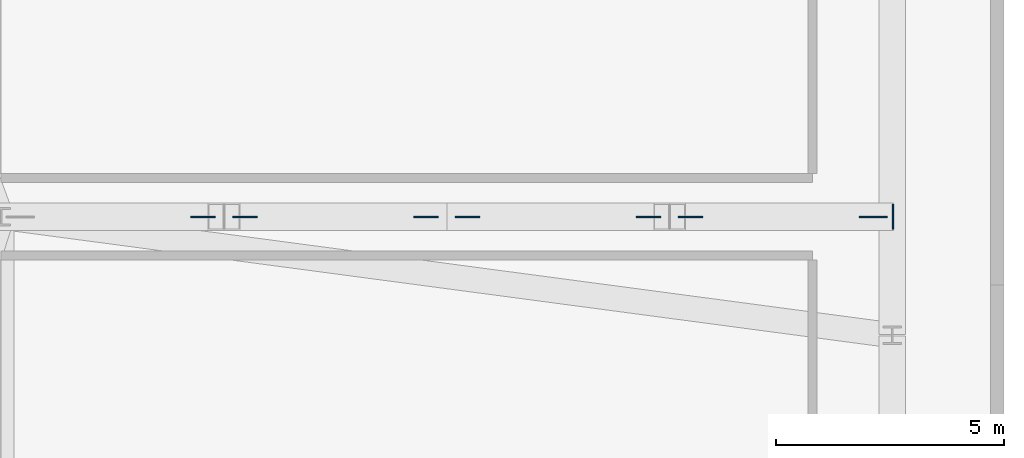
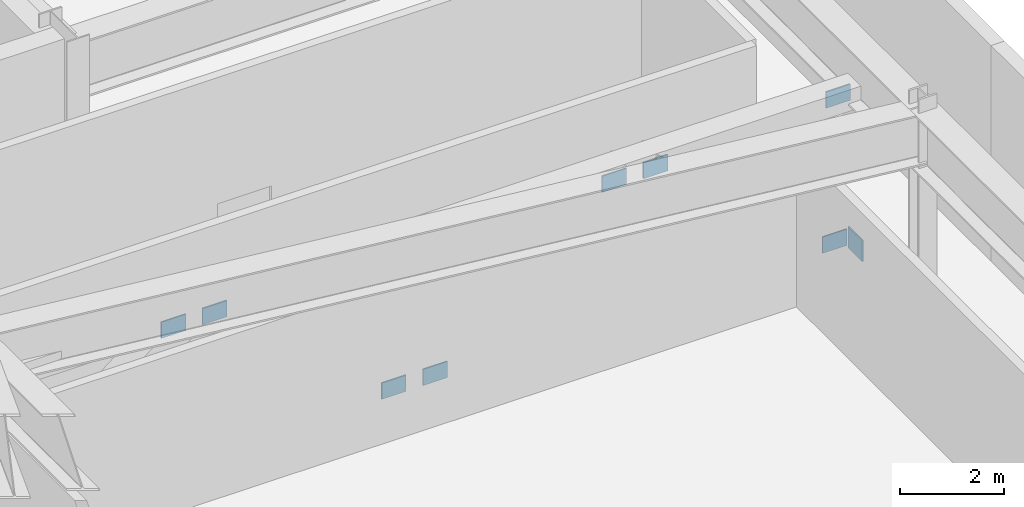
# One storey, part 11 of 16: 9 plates.
"""IFC4 building model written with IfcOpenShell, lengths in metres."""

from ifc_helpers import new_model, si_unit, direction, frame, origin, origin_2d, place, context, subcontext, project, spatial, rectangle, extrude, source, transform, mapped, material, layer, layer_set, type_object, type_shapes, element, save


model = new_model("IFC4")

# Units and contexts
model_context = context("Model", 3, precision=1e-05, world=origin(), true_north=direction((0.0, 1.0)))
body_context = subcontext(model_context, "Body", "Model", "MODEL_VIEW")
ifc_project = project(units=[si_unit("LENGTHUNIT", "METRE"), si_unit("AREAUNIT", "SQUARE_METRE"), si_unit("VOLUMEUNIT", "CUBIC_METRE"), si_unit("PLANEANGLEUNIT", "RADIAN"), si_unit("MASSUNIT", "GRAM", prefix="KILO")], contexts=[model_context])

# Site, building, storey
site_placement = place(None, origin())
site = spatial("IfcSite", under=ifc_project, at=site_placement, CompositionType="ELEMENT")
building_placement = place(site_placement, origin())
building = spatial("IfcBuilding", under=site, at=building_placement, Name="Varnel Quay Broadcast Tower", CompositionType="ELEMENT")
storey_placement = place(building_placement, frame((0.0, 0.0, 22.199951171875)))
storey = spatial("IfcBuildingStorey", under=building, at=storey_placement, Name="L04", CompositionType="ELEMENT", Elevation=22.199951171875)

# Plates
ifc_material = material(Name="Structural Steel CSA G40.21 350WT", Category="steel")
ifc_layer = layer(ifc_material, 0.031982421875, Name="Structural Steel CSA G40.21 350WT")
ifc_layer_set = layer_set([ifc_layer], Name="Structural Steel CSA G40.21 350WT")
plate_type = type_object("IfcPlateType", Name="Plate_EndCap", PredefinedType="USERDEFINED", material=ifc_layer_set)
shared_shape_1 = source(origin(), body_context, "Body", "SweptSolid", [
    extrude(rectangle(XDim=0.5400390625, YDim=0.031982421875, at=origin_2d()), origin(), (0.0, 0.0, 1.0), 0.5),
])
plate_placement = place(storey_placement, frame((65.56396484375, 28.0, 0.0), z_axis=(0.0, 0.0, 1.0), x_axis=(0.0, 1.0, 0.0)))
element("IfcPlate", 1, at=plate_placement, inside=storey, type_object=plate_type, Name="L04 Warren Bottom Chord 2 End Connection Plate P1", ObjectType="CAP_PLATE", PredefinedType="USERDEFINED", context=body_context, shape_type="MappedRepresentation", body=[
    mapped(shared_shape_1, transform((0.0, 0.0, 0.0), x_axis=(1.0, 0.0, 0.0), y_axis=(0.0, 1.0, 0.0), z_axis=(0.0, 0.0, 1.0), scale=1.0)),
])
shared_shape_2 = source(origin(), body_context, "Body", "SweptSolid", [
    extrude(rectangle(XDim=0.5400390625, YDim=0.031982421875, at=origin_2d()), origin(), (0.0, 0.0, 1.0), 0.3798828125),
])
type_shapes(plate_type, [shared_shape_1, shared_shape_2])
for number, where, z_axis, x_axis, name in (
    (2, (65.169921875, 28.0, 3.670166015625), (0.0, 0.0, 1.0), (1.0, 0.0, 0.0), "L04 Warren Top Chord 2 End Connection Plate P1"),
    (3, (50.429443359375, 28.0, 3.4345703125), (0.0, 0.0, 1.0), (1.0, 0.0, 0.0), "L04 Warren Diag 2.1 End Connection Plate P1"),
    (4, (51.345703125, 28.0, 3.4345703125), (0.0, 0.0, 1.0), (1.0, 0.0, 0.0), "L04 Warren Diag 2.2 End Connection Plate P0"),
    (5, (55.31689453125, 28.0, 0.295654296875), (0.0, 0.0, 1.0), (1.0, 0.0, 0.0), "L04 Warren Diag 2.2 End Connection Plate P1"),
    (6, (56.233154296875, 28.0, 0.295654296875), (0.0, 0.0, 1.0), (1.0, 0.0, 0.0), "L04 Warren Diag 2.3 End Connection Plate P0"),
    (7, (60.204345703125, 28.0, 3.4345703125), (0.0, 0.0, 1.0), (1.0, 0.0, 0.0), "L04 Warren Diag 2.3 End Connection Plate P1"),
    (8, (61.12060546875, 28.0, 3.4345703125), (0.0, 0.0, 1.0), (1.0, 0.0, 0.0), "L04 Warren Diag 2.4 End Connection Plate P0"),
    (9, (65.091796875, 28.0, 0.295654296875), (0.0, 0.0, 1.0), (1.0, 0.0, 0.0), "L04 Warren Diag 2.4 End Connection Plate P1"),
):
    element("IfcPlate", number, at=place(storey_placement, frame(where, z_axis=z_axis, x_axis=x_axis)), inside=storey, type_object=plate_type, Name=name, ObjectType="CAP_PLATE", PredefinedType="USERDEFINED", context=body_context, shape_type="MappedRepresentation", body=[
        mapped(shared_shape_2, transform((0.0, 0.0, 0.0), x_axis=(1.0, 0.0, 0.0), y_axis=(0.0, 1.0, 0.0), z_axis=(0.0, 0.0, 1.0), scale=1.0)),
    ])

save(model, "model.ifc")
